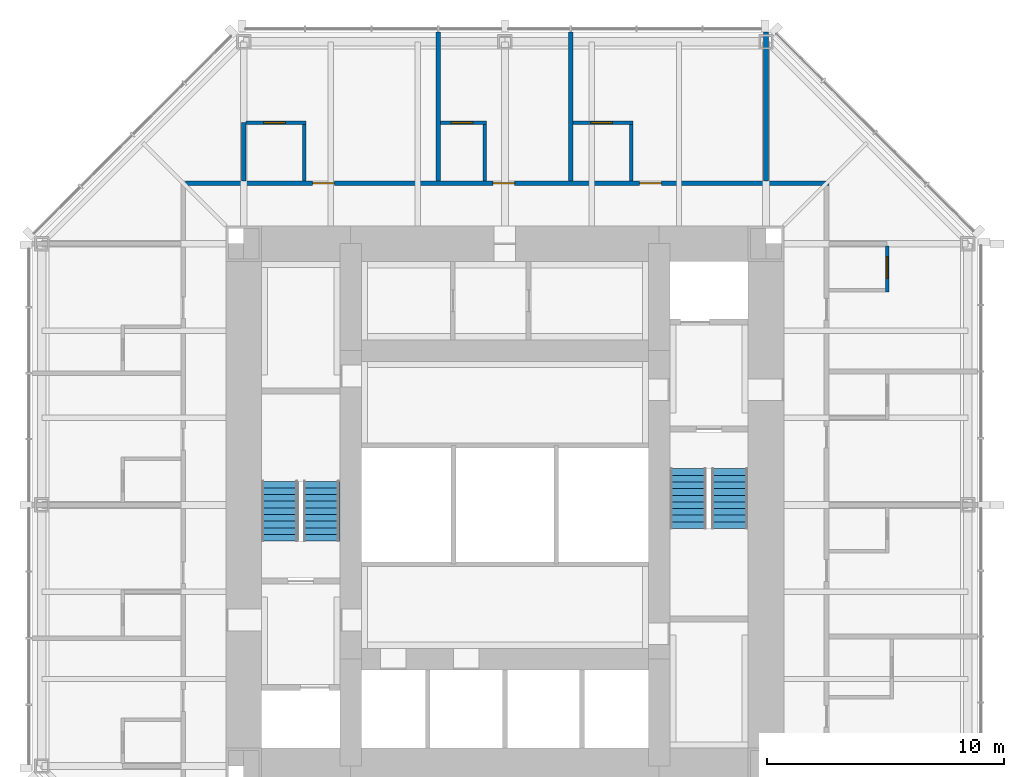
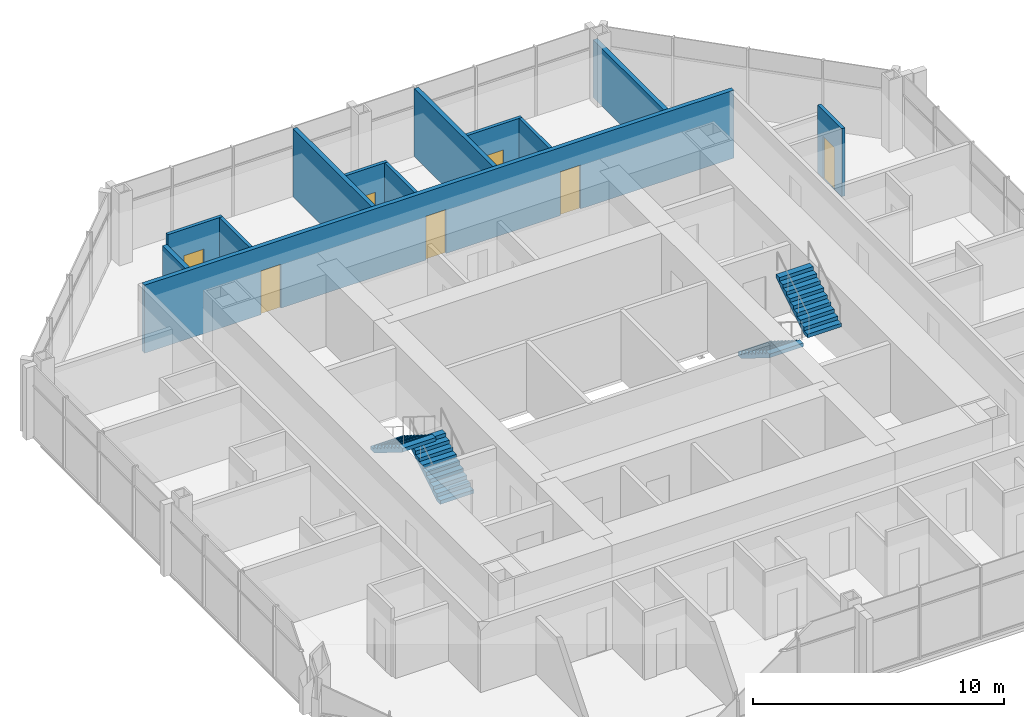
# One storey, part 10 of 12: 12 walls, 7 doors, 4 stair flights, 7 openings, 2 elements without a shape of their own.
"""IFC4 building model written with IfcOpenShell, lengths in metres."""

from ifc_helpers import new_model, si_unit, direction, frame, frame_2d, origin, place, context, subcontext, project, spatial, polyline, rectangle, outline, extrude, material, layer, layer_set, type_object, element, fill, aggregate, save


model = new_model("IFC4")

# Units and contexts
model_context = context("Model", 3, precision=1e-05, world=origin(), true_north=direction((0.0, 1.0)))
body_context = subcontext(model_context, "Body", "Model", "MODEL_VIEW")
ifc_project = project(units=[si_unit("LENGTHUNIT", "METRE"), si_unit("AREAUNIT", "SQUARE_METRE"), si_unit("VOLUMEUNIT", "CUBIC_METRE"), si_unit("PLANEANGLEUNIT", "RADIAN"), si_unit("MASSUNIT", "GRAM", prefix="KILO")], contexts=[model_context])

# Site, building, storey
site_placement = place(None, origin())
site = spatial("IfcSite", under=ifc_project, at=site_placement, CompositionType="ELEMENT")
building_placement = place(site_placement, origin())
building = spatial("IfcBuilding", under=site, at=building_placement, Name="Trevanion Tower", CompositionType="ELEMENT")
storey_placement = place(building_placement, frame((0.0, 0.0, 204.699951171875)))
storey = spatial("IfcBuildingStorey", under=building, at=storey_placement, Name="L48", CompositionType="ELEMENT", Elevation=204.699951171875)

# Wall, opening, door
ifc_material_1 = material(Name="Gypsum board on steel studs", Category="steel")
ifc_layer_1 = layer(ifc_material_1, 0.14990234375)
ifc_layer_set_1 = layer_set([ifc_layer_1], Name="PT1 partition 150")
wall_type_1 = type_object("IfcWallType", Name="PT1 partition 150", PredefinedType="PARTITIONING", material=ifc_layer_set_1)
wall_1_placement = place(storey_placement, frame((16.10009765625, 8.97509765625, 0.0), z_axis=(0.0, 0.0, 1.0), x_axis=(0.0, 1.0, 0.0)))
wall_1 = element("IfcWall", 1, at=wall_1_placement, inside=storey, type_object=wall_type_1, Name="PT1 L48 BA03", PredefinedType="PARTITIONING", context=body_context, shape_type="SweptSolid", body=[
    extrude(rectangle(XDim=1.9248046875, YDim=0.14990234375, at=frame_2d((0.96240234375, 0.0))), origin(), (0.0, 0.0, 1.0), 3.31005859375),
])
opening_1_placement = place(wall_1_placement, frame((0.5673828125, 0.0, 0.0)))
opening_1 = element("IfcOpeningElement", 2, at=opening_1_placement, cuts=wall_1, Name="Opening 48-022", PredefinedType="OPENING", context=body_context, shape_type="SweptSolid", body=[
    extrude(rectangle(XDim=0.9150390625, YDim=2.031982421875, at=frame_2d((0.45751953125, 1.01611328125))), frame((0.0, 0.0849609375, 0.0), z_axis=(0.0, -1.0, 0.0), x_axis=(1.0, 0.0, 0.0)), (0.0, 0.0, 1.0), 0.169921875),
])
ifc_material_2 = material(Name="Timber veneer", Category="wood")
door_type_1 = type_object("IfcDoorType", Name="D7 bathroom door", OperationType="SINGLE_SWING_LEFT", PredefinedType="DOOR", material=ifc_material_2)
door_1_placement = place(opening_1_placement, origin())
door_1 = element("IfcDoor", 3, at=door_1_placement, inside=storey, type_object=door_type_1, Name="Door 48-022", OperationType="SINGLE_SWING_LEFT", OverallHeight=2.031982421875, OverallWidth=0.9150390625, PredefinedType="DOOR", context=body_context, shape_type="SweptSolid", body=[
    extrude(rectangle(XDim=0.9150390625, YDim=2.031982421875, at=frame_2d((0.45751953125, 1.01611328125))), frame((0.0, 0.02490234375, 0.0), z_axis=(0.0, -1.0, 0.0), x_axis=(1.0, 0.0, 0.0)), (0.0, 0.0, 1.0), 0.050048828125),
])
fill(opening_1, door_1)

wall_2_placement = place(storey_placement, frame((5.39990234375, 16.10009765625, 0.0), z_axis=(0.0, 0.0, 1.0), x_axis=(-1.0, 0.0, 0.0)))
wall_2 = element("IfcWall", 4, at=wall_2_placement, inside=storey, type_object=wall_type_1, Name="PT1 L48 BA10", PredefinedType="PARTITIONING", context=body_context, shape_type="SweptSolid", body=[
    extrude(rectangle(XDim=2.52490234375, YDim=0.14990234375, at=frame_2d((1.262451171875, 0.0))), origin(), (0.0, 0.0, 1.0), 3.31005859375),
])
opening_2_placement = place(wall_2_placement, frame((0.867431640625, 0.0, 0.0)))
opening_2 = element("IfcOpeningElement", 5, at=opening_2_placement, cuts=wall_2, Name="Opening 48-024", PredefinedType="OPENING", context=body_context, shape_type="SweptSolid", body=[
    extrude(rectangle(XDim=0.9150390625, YDim=2.031982421875, at=frame_2d((0.45751953125, 1.01611328125))), frame((0.0, 0.0849609375, 0.0), z_axis=(0.0, -1.0, 0.0), x_axis=(1.0, 0.0, 0.0)), (0.0, 0.0, 1.0), 0.169921875),
])
door_2_placement = place(opening_2_placement, origin())
door_2 = element("IfcDoor", 6, at=door_2_placement, inside=storey, type_object=door_type_1, Name="Door 48-024", OperationType="SINGLE_SWING_LEFT", OverallHeight=2.031982421875, OverallWidth=0.9150390625, PredefinedType="DOOR", context=body_context, shape_type="SweptSolid", body=[
    extrude(rectangle(XDim=0.9150390625, YDim=2.031982421875, at=frame_2d((0.45751953125, 1.01611328125))), frame((0.0, 0.02490234375, 0.0), z_axis=(0.0, -1.0, 0.0), x_axis=(1.0, 0.0, 0.0)), (0.0, 0.0, 1.0), 0.050048828125),
])
fill(opening_2, door_2)

# Wall
wall_3_placement = place(storey_placement, frame((5.324951171875, 13.64990234375, 0.0), z_axis=(0.0, 0.0, 1.0), x_axis=(0.0, 1.0, 0.0)))
element("IfcWall", 7, at=wall_3_placement, inside=storey, type_object=wall_type_1, Name="PT1 L48 BB10", PredefinedType="PARTITIONING", context=body_context, shape_type="SweptSolid", body=[
    extrude(rectangle(XDim=2.375, YDim=0.14990234375, at=frame_2d((1.1875, 0.0))), origin(), (0.0, 0.0, 1.0), 3.31005859375),
])

# Wall, opening, door
wall_4_placement = place(storey_placement, frame((-0.781982421875, 16.10009765625, 0.0), z_axis=(0.0, 0.0, 1.0), x_axis=(-1.0, 0.0, 0.0)))
wall_4 = element("IfcWall", 8, at=wall_4_placement, inside=storey, type_object=wall_type_1, Name="PT1 L48 BA11", PredefinedType="PARTITIONING", context=body_context, shape_type="SweptSolid", body=[
    extrude(rectangle(XDim=1.925048828125, YDim=0.14990234375, at=frame_2d((0.96240234375, 0.0))), origin(), (0.0, 0.0, 1.0), 3.31005859375),
])
opening_3_placement = place(wall_4_placement, frame((0.5673828125, 0.0, 0.0)))
opening_3 = element("IfcOpeningElement", 9, at=opening_3_placement, cuts=wall_4, Name="Opening 48-026", PredefinedType="OPENING", context=body_context, shape_type="SweptSolid", body=[
    extrude(rectangle(XDim=0.9150390625, YDim=2.031982421875, at=frame_2d((0.45751953125, 1.01611328125))), frame((0.0, 0.0849609375, 0.0), z_axis=(0.0, -1.0, 0.0), x_axis=(1.0, 0.0, 0.0)), (0.0, 0.0, 1.0), 0.169921875),
])
door_3_placement = place(opening_3_placement, origin())
door_3 = element("IfcDoor", 10, at=door_3_placement, inside=storey, type_object=door_type_1, Name="Door 48-026", OperationType="SINGLE_SWING_LEFT", OverallHeight=2.031982421875, OverallWidth=0.9150390625, PredefinedType="DOOR", context=body_context, shape_type="SweptSolid", body=[
    extrude(rectangle(XDim=0.9150390625, YDim=2.031982421875, at=frame_2d((0.45751953125, 1.01611328125))), frame((0.0, 0.02490234375, 0.0), z_axis=(0.0, -1.0, 0.0), x_axis=(1.0, 0.0, 0.0)), (0.0, 0.0, 1.0), 0.050048828125),
])
fill(opening_3, door_3)

# Wall
wall_5_placement = place(storey_placement, frame((-0.85693359375, 13.64990234375, 0.0), z_axis=(0.0, 0.0, 1.0), x_axis=(0.0, 1.0, 0.0)))
element("IfcWall", 11, at=wall_5_placement, inside=storey, type_object=wall_type_1, Name="PT1 L48 BB11", PredefinedType="PARTITIONING", context=body_context, shape_type="SweptSolid", body=[
    extrude(rectangle(XDim=2.375, YDim=0.14990234375, at=frame_2d((1.1875, 0.0))), origin(), (0.0, 0.0, 1.0), 3.31005859375),
])

# Wall, opening, door
wall_6_placement = place(storey_placement, frame((-8.375, 16.10009765625, 0.0), z_axis=(0.0, 0.0, 1.0), x_axis=(-1.0, 0.0, 0.0)))
wall_6 = element("IfcWall", 12, at=wall_6_placement, inside=storey, type_object=wall_type_1, Name="PT1 L48 BA12", PredefinedType="PARTITIONING", context=body_context, shape_type="SweptSolid", body=[
    extrude(rectangle(XDim=2.52490234375, YDim=0.14990234375, at=frame_2d((1.262451171875, 0.0))), origin(), (0.0, 0.0, 1.0), 3.31005859375),
])
opening_4_placement = place(wall_6_placement, frame((0.867431640625, 0.0, 0.0)))
opening_4 = element("IfcOpeningElement", 13, at=opening_4_placement, cuts=wall_6, Name="Opening 48-028", PredefinedType="OPENING", context=body_context, shape_type="SweptSolid", body=[
    extrude(rectangle(XDim=0.9150390625, YDim=2.031982421875, at=frame_2d((0.45751953125, 1.01611328125))), frame((0.0, 0.0849609375, 0.0), z_axis=(0.0, -1.0, 0.0), x_axis=(1.0, 0.0, 0.0)), (0.0, 0.0, 1.0), 0.169921875),
])
door_4_placement = place(opening_4_placement, origin())
door_4 = element("IfcDoor", 14, at=door_4_placement, inside=storey, type_object=door_type_1, Name="Door 48-028", OperationType="SINGLE_SWING_LEFT", OverallHeight=2.031982421875, OverallWidth=0.9150390625, PredefinedType="DOOR", context=body_context, shape_type="SweptSolid", body=[
    extrude(rectangle(XDim=0.9150390625, YDim=2.031982421875, at=frame_2d((0.45751953125, 1.01611328125))), frame((0.0, 0.02490234375, 0.0), z_axis=(0.0, -1.0, 0.0), x_axis=(1.0, 0.0, 0.0)), (0.0, 0.0, 1.0), 0.050048828125),
])
fill(opening_4, door_4)

# Wall
wall_7_placement = place(storey_placement, frame((-8.449951171875, 13.64990234375, 0.0), z_axis=(0.0, 0.0, 1.0), x_axis=(0.0, 1.0, 0.0)))
element("IfcWall", 15, at=wall_7_placement, inside=storey, type_object=wall_type_1, Name="PT1 L48 BB12", PredefinedType="PARTITIONING", context=body_context, shape_type="SweptSolid", body=[
    extrude(rectangle(XDim=2.375, YDim=0.14990234375, at=frame_2d((1.1875, 0.0))), origin(), (0.0, 0.0, 1.0), 3.31005859375),
])

# Wall, openings, doors
ifc_material_3 = material(Name="Concrete masonry, grouted", Category="masonry")
ifc_layer_2 = layer(ifc_material_3, 0.199951171875)
ifc_layer_set_2 = layer_set([ifc_layer_2], Name="PT2 partition 200 1 HR")
wall_type_2 = type_object("IfcWallType", Name="PT2 partition 200 1 HR", PredefinedType="PARTITIONING", material=ifc_layer_set_2)
wall_8_placement = place(storey_placement, frame((13.64990234375, 13.550048828125, 0.0), z_axis=(0.0, 0.0, 1.0), x_axis=(-1.0, 0.0, 0.0)))
wall_8 = element("IfcWall", 16, at=wall_8_placement, inside=storey, type_object=wall_type_2, Name="PT2 L48 HC1", PredefinedType="PARTITIONING", context=body_context, shape_type="SweptSolid", body=[
    extrude(rectangle(XDim=27.099853515625, YDim=0.199951171875, at=frame_2d((13.5498046875, 0.0))), origin(), (0.0, 0.0, 1.0), 3.31005859375),
])
opening_5_placement = place(wall_8_placement, frame((7.0576171875, 0.0, 0.0)))
opening_5 = element("IfcOpeningElement", 17, at=opening_5_placement, cuts=wall_8, Name="Opening 48-025", PredefinedType="OPENING", context=body_context, shape_type="SweptSolid", body=[
    extrude(rectangle(XDim=0.9150390625, YDim=2.134033203125, at=frame_2d((0.45751953125, 1.06689453125))), frame((0.0, 0.10986328125, 0.0), z_axis=(0.0, -1.0, 0.0), x_axis=(1.0, 0.0, 0.0)), (0.0, 0.0, 1.0), 0.219970703125),
])
opening_6_placement = place(wall_8_placement, frame((13.239501953125, 0.0, 0.0)))
opening_6 = element("IfcOpeningElement", 18, at=opening_6_placement, cuts=wall_8, Name="Opening 48-027", PredefinedType="OPENING", context=body_context, shape_type="SweptSolid", body=[
    extrude(rectangle(XDim=0.9150390625, YDim=2.134033203125, at=frame_2d((0.45751953125, 1.06689453125))), frame((0.0, 0.10986328125, 0.0), z_axis=(0.0, -1.0, 0.0), x_axis=(1.0, 0.0, 0.0)), (0.0, 0.0, 1.0), 0.219970703125),
])
opening_7_placement = place(wall_8_placement, frame((20.83251953125, 0.0, 0.0)))
opening_7 = element("IfcOpeningElement", 19, at=opening_7_placement, cuts=wall_8, Name="Opening 48-029", PredefinedType="OPENING", context=body_context, shape_type="SweptSolid", body=[
    extrude(rectangle(XDim=0.9150390625, YDim=2.134033203125, at=frame_2d((0.45751953125, 1.06689453125))), frame((0.0, 0.10986328125, 0.0), z_axis=(0.0, -1.0, 0.0), x_axis=(1.0, 0.0, 0.0)), (0.0, 0.0, 1.0), 0.219970703125),
])
ifc_material_4 = material(Name="Timber veneer, fire rated", Category="wood")
door_type_2 = type_object("IfcDoorType", Name="D6 guest room entrance door", OperationType="SINGLE_SWING_LEFT", PredefinedType="DOOR", material=ifc_material_4)
door_5_placement = place(opening_5_placement, origin())
door_5 = element("IfcDoor", 20, at=door_5_placement, inside=storey, type_object=door_type_2, Name="Door 48-025", OperationType="SINGLE_SWING_LEFT", OverallHeight=2.134033203125, OverallWidth=0.9150390625, PredefinedType="DOOR", context=body_context, shape_type="SweptSolid", body=[
    extrude(rectangle(XDim=0.9150390625, YDim=2.134033203125, at=frame_2d((0.45751953125, 1.06689453125))), frame((0.0, 0.02490234375, 0.0), z_axis=(0.0, -1.0, 0.0), x_axis=(1.0, 0.0, 0.0)), (0.0, 0.0, 1.0), 0.050048828125),
])
fill(opening_5, door_5)
door_6_placement = place(opening_6_placement, origin())
door_6 = element("IfcDoor", 21, at=door_6_placement, inside=storey, type_object=door_type_2, Name="Door 48-027", OperationType="SINGLE_SWING_LEFT", OverallHeight=2.134033203125, OverallWidth=0.9150390625, PredefinedType="DOOR", context=body_context, shape_type="SweptSolid", body=[
    extrude(rectangle(XDim=0.9150390625, YDim=2.134033203125, at=frame_2d((0.45751953125, 1.06689453125))), frame((0.0, 0.02490234375, 0.0), z_axis=(0.0, -1.0, 0.0), x_axis=(1.0, 0.0, 0.0)), (0.0, 0.0, 1.0), 0.050048828125),
])
fill(opening_6, door_6)
door_7_placement = place(opening_7_placement, origin())
door_7 = element("IfcDoor", 22, at=door_7_placement, inside=storey, type_object=door_type_2, Name="Door 48-029", OperationType="SINGLE_SWING_LEFT", OverallHeight=2.134033203125, OverallWidth=0.9150390625, PredefinedType="DOOR", context=body_context, shape_type="SweptSolid", body=[
    extrude(rectangle(XDim=0.9150390625, YDim=2.134033203125, at=frame_2d((0.45751953125, 1.06689453125))), frame((0.0, 0.02490234375, 0.0), z_axis=(0.0, -1.0, 0.0), x_axis=(1.0, 0.0, 0.0)), (0.0, 0.0, 1.0), 0.050048828125),
])
fill(opening_7, door_7)

# Walls
wall_9_placement = place(storey_placement, frame((11.0, 13.64990234375, 0.0), z_axis=(0.0, 0.0, 1.0), x_axis=(0.0, 1.0, 0.0)))
element("IfcWall", 23, at=wall_9_placement, inside=storey, type_object=wall_type_2, Name="PT2 L48 HD10", PredefinedType="PARTITIONING", context=body_context, shape_type="SweptSolid", body=[
    extrude(rectangle(XDim=6.26513671875, YDim=0.199951171875, at=frame_2d((3.132568359375, 0.0))), origin(), (0.0, 0.0, 1.0), 2.802001953125),
])
for number, where, z_axis, x_axis, name in (
    (24, (2.77490234375, 13.64990234375, 0.0), (0.0, 0.0, 1.0), (0.0, 1.0, 0.0), "PT2 L48 HD11"),
    (25, (-2.806884765625, 13.64990234375, 0.0), (0.0, 0.0, 1.0), (0.0, 1.0, 0.0), "PT2 L48 HD12"),
):
    element("IfcWall", number, at=place(storey_placement, frame(where, z_axis=z_axis, x_axis=x_axis)), inside=storey, type_object=wall_type_2, Name=name, PredefinedType="PARTITIONING", context=body_context, shape_type="SweptSolid", body=[
        extrude(rectangle(XDim=6.26513671875, YDim=0.199951171875, at=frame_2d((3.132568359375, 0.0))), origin(), (0.0, 0.0, 1.0), 3.31005859375),
    ])
wall_10_placement = place(storey_placement, frame((-11.0, 13.64990234375, 0.0), z_axis=(0.0, 0.0, 1.0), x_axis=(0.0, 1.0, 0.0)))
element("IfcWall", 26, at=wall_10_placement, inside=storey, type_object=wall_type_2, Name="PT2 L48 BC12", PredefinedType="PARTITIONING", context=body_context, shape_type="SweptSolid", body=[
    extrude(rectangle(XDim=2.4501953125, YDim=0.199951171875, at=frame_2d((1.22509765625, 0.0))), origin(), (0.0, 0.0, 1.0), 2.802001953125),
])

# Stair, stair flights
ifc_material_5 = material(Name="Concrete 5,000 psi on steel stringers", Category="concrete")
stair_type = type_object("IfcStairType", Name="ST stair", PredefinedType="HALF_TURN_STAIR", material=ifc_material_5)
stair_1_placement = place(storey_placement, origin())
stair_1 = element("IfcStair", 27, at=stair_1_placement, inside=storey, type_object=stair_type, Name="ST1 L48", PredefinedType="HALF_TURN_STAIR")
ifc_material_6 = material(Name="Concrete 5,000 psi in steel pan", Category="concrete")
stair_flight_type = type_object("IfcStairFlightType", Name="STF stair flight", PredefinedType="STRAIGHT", material=ifc_material_6)
stair_flight_1_placement = place(storey_placement, frame((7.72509765625, 1.52490234375, 0.0), z_axis=(0.0, 0.0, 1.0), x_axis=(0.0, -1.0, 0.0)))
stair_flight_1 = element("IfcStairFlight", 28, at=stair_flight_1_placement, type_object=stair_flight_type, Name="ST1 flight 1", NumberOfRisers=10, NumberOfTreads=9, PredefinedType="STRAIGHT", RiserHeight=0.175, TreadLength=0.28, context=body_context, shape_type="SweptSolid", body=[
    extrude(outline(polyline([(0.0, 0.0), (0.0, 0.175048828125), (0.280029296875, 0.175048828125), (0.280029296875, 0.35009765625), (0.56005859375, 0.35009765625), (0.56005859375, 0.52490234375), (0.840087890625, 0.52490234375), (0.840087890625, 0.699951171875), (1.1201171875, 0.699951171875), (1.1201171875, 0.875), (1.39990234375, 0.875), (1.39990234375, 1.050048828125), (1.679931640625, 1.050048828125), (1.679931640625, 1.22509765625), (1.9599609375, 1.22509765625), (1.9599609375, 1.39990234375), (2.239990234375, 1.39990234375), (2.239990234375, 1.574951171875), (2.52001953125, 1.574951171875), (2.52001953125, 1.75), (2.52001953125, 1.398193359375), (0.28271484375, 0.0), (0.0, 0.0)])), frame((0.0, 0.77490234375, 0.0), z_axis=(0.0, -1.0, 0.0), x_axis=(1.0, 0.0, 0.0)), (0.0, 0.0, 1.0), 1.550048828125),
])
stair_flight_2_placement = place(storey_placement, frame((9.47509765625, -0.9951171875, 1.75), z_axis=(0.0, 0.0, 1.0), x_axis=(0.0, 1.0, 0.0)))
stair_flight_2 = element("IfcStairFlight", 29, at=stair_flight_2_placement, type_object=stair_flight_type, Name="ST1 flight 2", NumberOfRisers=10, NumberOfTreads=9, PredefinedType="STRAIGHT", RiserHeight=0.175, TreadLength=0.28, context=body_context, shape_type="SweptSolid", body=[
    extrude(outline(polyline([(0.0, 0.0), (0.0, 0.175048828125), (0.280029296875, 0.175048828125), (0.280029296875, 0.35009765625), (0.56005859375, 0.35009765625), (0.56005859375, 0.52490234375), (0.840087890625, 0.52490234375), (0.840087890625, 0.699951171875), (1.1201171875, 0.699951171875), (1.1201171875, 0.875), (1.39990234375, 0.875), (1.39990234375, 1.050048828125), (1.679931640625, 1.050048828125), (1.679931640625, 1.22509765625), (1.9599609375, 1.22509765625), (1.9599609375, 1.39990234375), (2.239990234375, 1.39990234375), (2.239990234375, 1.574951171875), (2.52001953125, 1.574951171875), (2.52001953125, 1.75), (2.52001953125, 1.398193359375), (0.28271484375, 0.0), (0.0, 0.0)])), frame((0.0, 0.77490234375, 0.0), z_axis=(0.0, -1.0, 0.0), x_axis=(1.0, 0.0, 0.0)), (0.0, 0.0, 1.0), 1.550048828125),
])
aggregate(stair_1, [stair_flight_1, stair_flight_2])

stair_2_placement = place(storey_placement, origin())
stair_2 = element("IfcStair", 30, at=stair_2_placement, inside=storey, type_object=stair_type, Name="ST2 L48", PredefinedType="HALF_TURN_STAIR")
stair_flight_3_placement = place(storey_placement, frame((-7.72509765625, -1.52490234375, 0.0), z_axis=(0.0, 0.0, 1.0), x_axis=(0.0, 1.0, 0.0)))
stair_flight_3 = element("IfcStairFlight", 31, at=stair_flight_3_placement, type_object=stair_flight_type, Name="ST2 flight 1", NumberOfRisers=10, NumberOfTreads=9, PredefinedType="STRAIGHT", RiserHeight=0.175, TreadLength=0.28, context=body_context, shape_type="SweptSolid", body=[
    extrude(outline(polyline([(0.0, 0.0), (0.0, 0.175048828125), (0.280029296875, 0.175048828125), (0.280029296875, 0.35009765625), (0.56005859375, 0.35009765625), (0.56005859375, 0.52490234375), (0.840087890625, 0.52490234375), (0.840087890625, 0.699951171875), (1.1201171875, 0.699951171875), (1.1201171875, 0.875), (1.39990234375, 0.875), (1.39990234375, 1.050048828125), (1.679931640625, 1.050048828125), (1.679931640625, 1.22509765625), (1.9599609375, 1.22509765625), (1.9599609375, 1.39990234375), (2.239990234375, 1.39990234375), (2.239990234375, 1.574951171875), (2.52001953125, 1.574951171875), (2.52001953125, 1.75), (2.52001953125, 1.398193359375), (0.28271484375, 0.0), (0.0, 0.0)])), frame((0.0, 0.77490234375, 0.0), z_axis=(0.0, -1.0, 0.0), x_axis=(1.0, 0.0, 0.0)), (0.0, 0.0, 1.0), 1.550048828125),
])
stair_flight_4_placement = place(storey_placement, frame((-9.47509765625, 0.9951171875, 1.75), z_axis=(0.0, 0.0, 1.0), x_axis=(0.0, -1.0, 0.0)))
stair_flight_4 = element("IfcStairFlight", 32, at=stair_flight_4_placement, type_object=stair_flight_type, Name="ST2 flight 2", NumberOfRisers=10, NumberOfTreads=9, PredefinedType="STRAIGHT", RiserHeight=0.175, TreadLength=0.28, context=body_context, shape_type="SweptSolid", body=[
    extrude(outline(polyline([(0.0, 0.0), (0.0, 0.175048828125), (0.280029296875, 0.175048828125), (0.280029296875, 0.35009765625), (0.56005859375, 0.35009765625), (0.56005859375, 0.52490234375), (0.840087890625, 0.52490234375), (0.840087890625, 0.699951171875), (1.1201171875, 0.699951171875), (1.1201171875, 0.875), (1.39990234375, 0.875), (1.39990234375, 1.050048828125), (1.679931640625, 1.050048828125), (1.679931640625, 1.22509765625), (1.9599609375, 1.22509765625), (1.9599609375, 1.39990234375), (2.239990234375, 1.39990234375), (2.239990234375, 1.574951171875), (2.52001953125, 1.574951171875), (2.52001953125, 1.75), (2.52001953125, 1.398193359375), (0.28271484375, 0.0), (0.0, 0.0)])), frame((0.0, 0.77490234375, 0.0), z_axis=(0.0, -1.0, 0.0), x_axis=(1.0, 0.0, 0.0)), (0.0, 0.0, 1.0), 1.550048828125),
])
aggregate(stair_2, [stair_flight_3, stair_flight_4])

save(model, "model.ifc")
